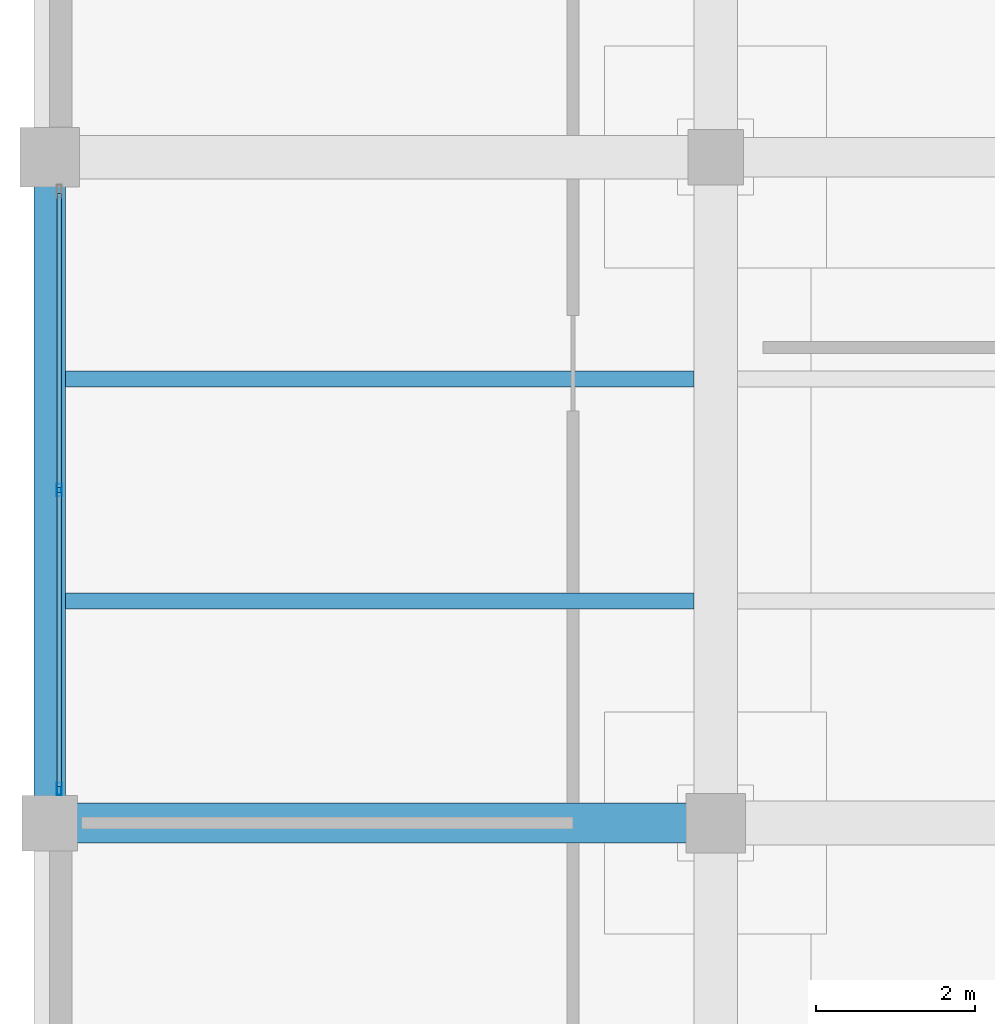
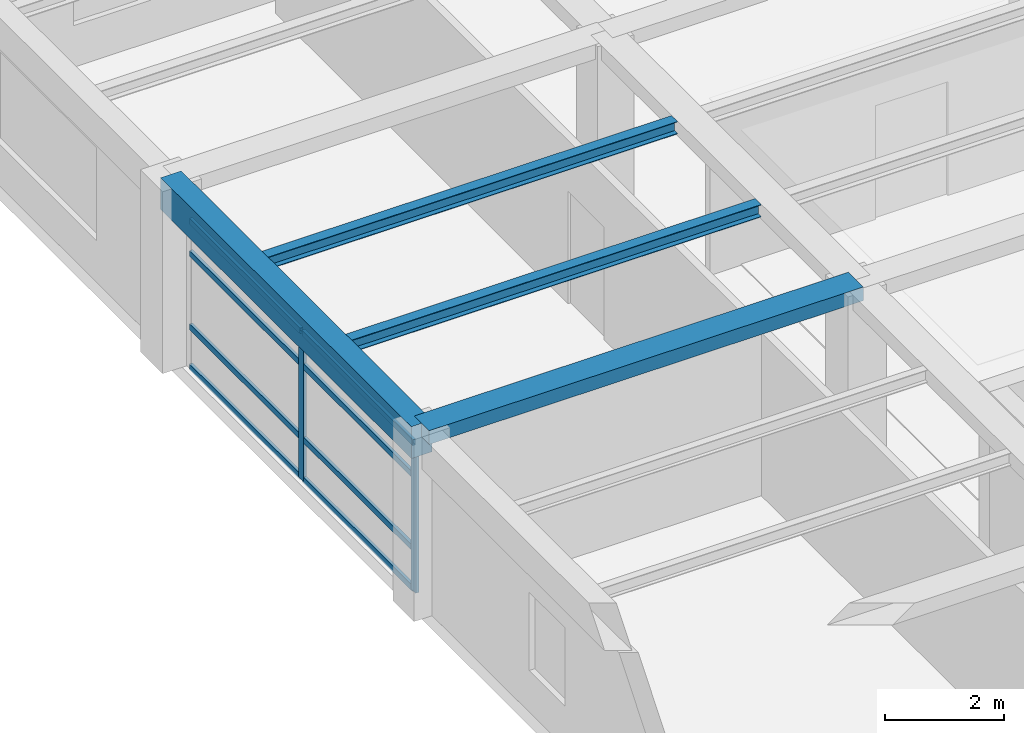
# One storey, part 6 of 26: 10 members, 4 beams, 1 element without a shape of its own.
"""IFC4 building model written with IfcOpenShell, lengths in metres."""

from ifc_helpers import new_model, si_unit, direction, frame, origin, origin_2d, place, context, subcontext, project, spatial, rectangle, hollow_rectangle, i_section, extrude, material, material_profile, profile_set, type_object, element, aggregate, save


model = new_model("IFC4")

# Units and contexts
model_context = context("Model", 3, precision=1e-05, world=origin(), true_north=direction((0.0, 1.0)))
body_context = subcontext(model_context, "Body", "Model", "MODEL_VIEW")
ifc_project = project(units=[si_unit("LENGTHUNIT", "METRE"), si_unit("AREAUNIT", "SQUARE_METRE"), si_unit("VOLUMEUNIT", "CUBIC_METRE"), si_unit("PLANEANGLEUNIT", "RADIAN"), si_unit("MASSUNIT", "GRAM", prefix="KILO")], contexts=[model_context])

# Site, building, storey
site_placement = place(None, origin())
site = spatial("IfcSite", under=ifc_project, at=site_placement, CompositionType="ELEMENT")
building_placement = place(site_placement, origin())
building = spatial("IfcBuilding", under=site, at=building_placement, Name="Almacenes y Pasaje Nevantli", CompositionType="ELEMENT")
storey_placement = place(building_placement, frame((0.0, 0.0, 38.699951171875)))
storey = spatial("IfcBuildingStorey", under=building, at=storey_placement, Name="L09", CompositionType="ELEMENT", Elevation=38.699951171875)

# Beams
ifc_material_1 = material(Name="Concrete C35/45", Category="concrete")
ifc_material_profile_1 = material_profile(ifc_material_1, rectangle(XDim=0.39990234375, YDim=0.64990234375, at=origin_2d()), Name="RC-BM-400x650")
ifc_profile_set_1 = profile_set([ifc_material_profile_1], Name="Concrete C35/45")
beam_type_1 = type_object("IfcBeamType", Name="BM-RC-400x650", PredefinedType="SPANDREL", material=ifc_profile_set_1)
beam_1_placement = place(storey_placement, frame((109.199951171875, 84.0, 3.39501953125), z_axis=(0.0, 1.0, 0.0), x_axis=(-1.0, 0.0, 0.0)))
element("IfcBeam", 1, at=beam_1_placement, inside=storey, type_object=beam_type_1, Name="L09 North-South Reinforced Concrete Beam #3773", PredefinedType="SPANDREL", context=body_context, shape_type="SweptSolid", body=[
    extrude(rectangle(XDim=0.39990234375, YDim=0.64990234375, at=origin_2d()), origin(), (0.0, 0.0, 1.0), 8.39990234375),
])
ifc_material_2 = material(Name="Concrete C35/45", Category="concrete")
ifc_material_profile_2 = material_profile(ifc_material_2, rectangle(XDim=0.5, YDim=0.280029296875, at=origin_2d()), Name="RC-BM-500x280")
ifc_profile_set_2 = profile_set([ifc_material_profile_2], Name="Concrete C35/45")
beam_type_2 = type_object("IfcBeamType", Name="BM-RC-500x280", PredefinedType="BEAM", material=ifc_profile_set_2)
beam_2_placement = place(storey_placement, frame((109.199951171875, 84.0, 3.580078125), z_axis=(1.0, 0.0, 0.0), x_axis=(0.0, 1.0, 0.0)))
element("IfcBeam", 2, at=beam_2_placement, inside=storey, type_object=beam_type_2, Name="L09 East-West Reinforced Concrete Beam #3753", PredefinedType="BEAM", context=body_context, shape_type="SweptSolid", body=[
    extrude(rectangle(XDim=0.5, YDim=0.280029296875, at=origin_2d()), origin(), (0.0, 0.0, 1.0), 8.400146484375),
])
ifc_material_3 = material(Name="Steel ASTM A992", Category="steel")
ifc_material_profile_3 = material_profile(ifc_material_3, i_section(OverallWidth=0.202880859375, OverallDepth=0.25390625, WebThickness=0.00732421875, FlangeThickness=0.010986328125, at=origin_2d()), Name="IR 254x49.1")
ifc_profile_set_3 = profile_set([ifc_material_profile_3], Name="Steel ASTM A992")
beam_type_3 = type_object("IfcBeamType", Name="BM-STL-IR-254x49p1", PredefinedType="JOIST", material=ifc_profile_set_3)
for number, where, z_axis, x_axis, name in (
    (3, (109.39990234375, 86.800048828125, 3.5849609375), (1.0, 0.0, 0.0), (0.0, 1.0, 0.0), "L09 Secondary Steel Floor Joist #1459"),
    (4, (109.39990234375, 89.60009765625, 3.5849609375), (1.0, 0.0, 0.0), (0.0, 1.0, 0.0), "L09 Secondary Steel Floor Joist #1460"),
):
    element("IfcBeam", number, at=place(storey_placement, frame(where, z_axis=z_axis, x_axis=x_axis)), inside=storey, type_object=beam_type_3, Name=name, PredefinedType="JOIST", context=body_context, shape_type="SweptSolid", body=[
        extrude(i_section(OverallWidth=0.202880859375, OverallDepth=0.25390625, WebThickness=0.00732421875, FlangeThickness=0.010986328125, at=origin_2d()), origin(), (0.0, 0.0, 1.0), 7.925048828125),
    ])

# Curtain wall, members
ifc_material_4 = material(Name="Thermally Broken Aluminium and Low-E Glass", Category="aluminium")
curtain_wall_type = type_object("IfcCurtainWallType", Name="CW-UNIT-TOWER", PredefinedType="USERDEFINED", material=ifc_material_4)
curtain_wall_placement = place(storey_placement, origin())
curtain_wall = element("IfcCurtainWall", 5, at=curtain_wall_placement, inside=storey, type_object=curtain_wall_type, Name="L09 Tower West Curtain Wall Bay 11", ObjectType="UNITIZED CURTAIN WALL", PredefinedType="USERDEFINED")
ifc_material_5 = material(Name="Thermally Broken Anodized Aluminium", Category="aluminium")
ifc_material_profile_4 = material_profile(ifc_material_5, hollow_rectangle(XDim=0.06005859375, YDim=0.159912109375, WallThickness=0.00390625, at=origin_2d()), Name="ALU-MUL-60x160")
ifc_profile_set_4 = profile_set([ifc_material_profile_4], Name="Thermally Broken Anodized Aluminium")
member_type_1 = type_object("IfcMemberType", Name="CW-MUL-180", PredefinedType="MULLION", material=ifc_profile_set_4)
member_1_placement = place(storey_placement, frame((109.320068359375, 84.429931640625, 0.0), z_axis=(0.0, 0.0, 1.0), x_axis=(-1.0, 0.0, 0.0)))
member_1 = element("IfcMember", 6, at=member_1_placement, type_object=member_type_1, Name="CW-L09-139 mullion 1", PredefinedType="MULLION", context=body_context, shape_type="SweptSolid", body=[
    extrude(hollow_rectangle(XDim=0.06005859375, YDim=0.159912109375, WallThickness=0.00390625, at=origin_2d()), origin(), (0.0, 0.0, 1.0), 3.0400390625),
])
member_2_placement = place(storey_placement, frame((109.320068359375, 88.199951171875, 0.0), z_axis=(0.0, 0.0, 1.0), x_axis=(-1.0, 0.0, 0.0)))
member_2 = element("IfcMember", 7, at=member_2_placement, type_object=member_type_1, Name="CW-L09-139 mullion 2", PredefinedType="MULLION", context=body_context, shape_type="SweptSolid", body=[
    extrude(hollow_rectangle(XDim=0.06005859375, YDim=0.159912109375, WallThickness=0.00390625, at=origin_2d()), origin(), (0.0, 0.0, 1.0), 3.0400390625),
])
ifc_material_6 = material(Name="Thermally Broken Anodized Aluminium", Category="aluminium")
ifc_material_profile_5 = material_profile(ifc_material_6, hollow_rectangle(XDim=0.06005859375, YDim=0.1201171875, WallThickness=0.00341796875, at=origin_2d()), Name="ALU-TRN-60x120")
ifc_profile_set_5 = profile_set([ifc_material_profile_5], Name="Thermally Broken Anodized Aluminium")
member_type_2 = type_object("IfcMemberType", Name="CW-TRN-130", PredefinedType="USERDEFINED", material=ifc_profile_set_5)
member_3_placement = place(storey_placement, frame((109.320068359375, 84.4599609375, 0.030029296875), z_axis=(0.0, 1.0, 0.0), x_axis=(-1.0, 0.0, 0.0)))
member_3 = element("IfcMember", 8, at=member_3_placement, type_object=member_type_2, Name="CW-L09-139 transom 1.1", ObjectType="TRANSOM", PredefinedType="USERDEFINED", context=body_context, shape_type="SweptSolid", body=[
    extrude(hollow_rectangle(XDim=0.06005859375, YDim=0.1201171875, WallThickness=0.00341796875, at=origin_2d()), origin(), (0.0, 0.0, 1.0), 3.7099609375),
])
member_4_placement = place(storey_placement, frame((109.320068359375, 84.4599609375, 0.85009765625), z_axis=(0.0, 1.0, 0.0), x_axis=(-1.0, 0.0, 0.0)))
member_4 = element("IfcMember", 9, at=member_4_placement, type_object=member_type_2, Name="CW-L09-139 transom 1.2", ObjectType="TRANSOM", PredefinedType="USERDEFINED", context=body_context, shape_type="SweptSolid", body=[
    extrude(hollow_rectangle(XDim=0.06005859375, YDim=0.1201171875, WallThickness=0.00341796875, at=origin_2d()), origin(), (0.0, 0.0, 1.0), 3.7099609375),
])
member_5_placement = place(storey_placement, frame((109.320068359375, 84.4599609375, 2.35009765625), z_axis=(0.0, 1.0, 0.0), x_axis=(-1.0, 0.0, 0.0)))
member_5 = element("IfcMember", 10, at=member_5_placement, type_object=member_type_2, Name="CW-L09-139 transom 1.3", ObjectType="TRANSOM", PredefinedType="USERDEFINED", context=body_context, shape_type="SweptSolid", body=[
    extrude(hollow_rectangle(XDim=0.06005859375, YDim=0.1201171875, WallThickness=0.00341796875, at=origin_2d()), origin(), (0.0, 0.0, 1.0), 3.7099609375),
])
member_6_placement = place(storey_placement, frame((109.320068359375, 84.4599609375, 3.010009765625), z_axis=(0.0, 1.0, 0.0), x_axis=(-1.0, 0.0, 0.0)))
member_6 = element("IfcMember", 11, at=member_6_placement, type_object=member_type_2, Name="CW-L09-139 transom 1.4", ObjectType="TRANSOM", PredefinedType="USERDEFINED", context=body_context, shape_type="SweptSolid", body=[
    extrude(hollow_rectangle(XDim=0.06005859375, YDim=0.1201171875, WallThickness=0.00341796875, at=origin_2d()), origin(), (0.0, 0.0, 1.0), 3.7099609375),
])
member_7_placement = place(storey_placement, frame((109.320068359375, 88.22998046875, 0.030029296875), z_axis=(0.0, 1.0, 0.0), x_axis=(-1.0, 0.0, 0.0)))
member_7 = element("IfcMember", 12, at=member_7_placement, type_object=member_type_2, Name="CW-L09-139 transom 2.1", ObjectType="TRANSOM", PredefinedType="USERDEFINED", context=body_context, shape_type="SweptSolid", body=[
    extrude(hollow_rectangle(XDim=0.06005859375, YDim=0.1201171875, WallThickness=0.00341796875, at=origin_2d()), origin(), (0.0, 0.0, 1.0), 3.7099609375),
])
member_8_placement = place(storey_placement, frame((109.320068359375, 88.22998046875, 0.85009765625), z_axis=(0.0, 1.0, 0.0), x_axis=(-1.0, 0.0, 0.0)))
member_8 = element("IfcMember", 13, at=member_8_placement, type_object=member_type_2, Name="CW-L09-139 transom 2.2", ObjectType="TRANSOM", PredefinedType="USERDEFINED", context=body_context, shape_type="SweptSolid", body=[
    extrude(hollow_rectangle(XDim=0.06005859375, YDim=0.1201171875, WallThickness=0.00341796875, at=origin_2d()), origin(), (0.0, 0.0, 1.0), 3.7099609375),
])
member_9_placement = place(storey_placement, frame((109.320068359375, 88.22998046875, 2.35009765625), z_axis=(0.0, 1.0, 0.0), x_axis=(-1.0, 0.0, 0.0)))
member_9 = element("IfcMember", 14, at=member_9_placement, type_object=member_type_2, Name="CW-L09-139 transom 2.3", ObjectType="TRANSOM", PredefinedType="USERDEFINED", context=body_context, shape_type="SweptSolid", body=[
    extrude(hollow_rectangle(XDim=0.06005859375, YDim=0.1201171875, WallThickness=0.00341796875, at=origin_2d()), origin(), (0.0, 0.0, 1.0), 3.7099609375),
])
member_10_placement = place(storey_placement, frame((109.320068359375, 88.22998046875, 3.010009765625), z_axis=(0.0, 1.0, 0.0), x_axis=(-1.0, 0.0, 0.0)))
member_10 = element("IfcMember", 15, at=member_10_placement, type_object=member_type_2, Name="CW-L09-139 transom 2.4", ObjectType="TRANSOM", PredefinedType="USERDEFINED", context=body_context, shape_type="SweptSolid", body=[
    extrude(hollow_rectangle(XDim=0.06005859375, YDim=0.1201171875, WallThickness=0.00341796875, at=origin_2d()), origin(), (0.0, 0.0, 1.0), 3.7099609375),
])
aggregate(curtain_wall, [member_1, member_2, member_3, member_4, member_5, member_6, member_7, member_8, member_9, member_10])

save(model, "model.ifc")
